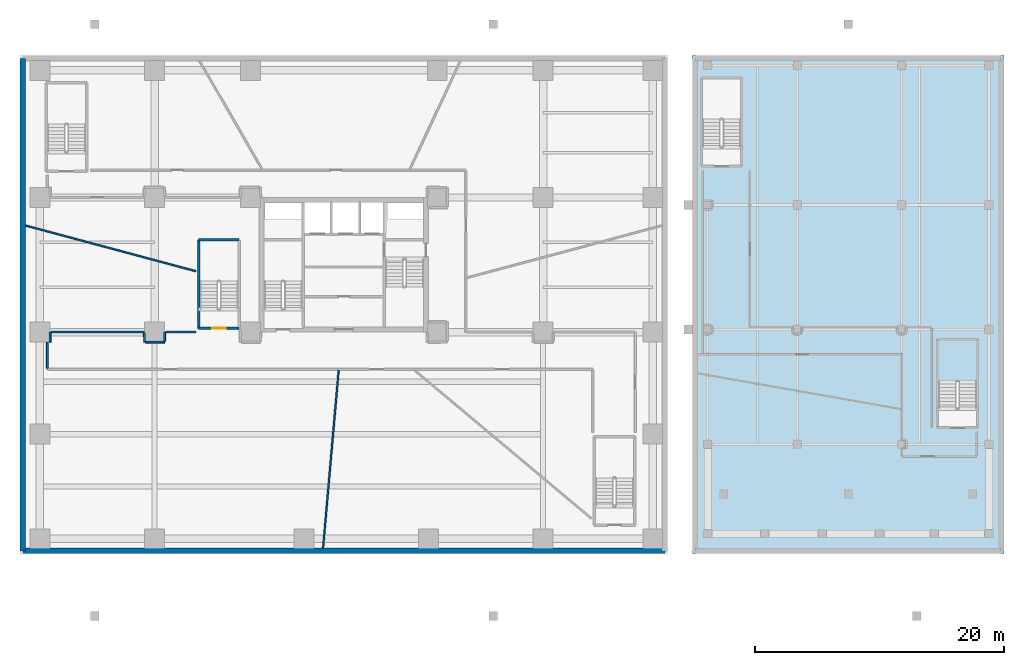
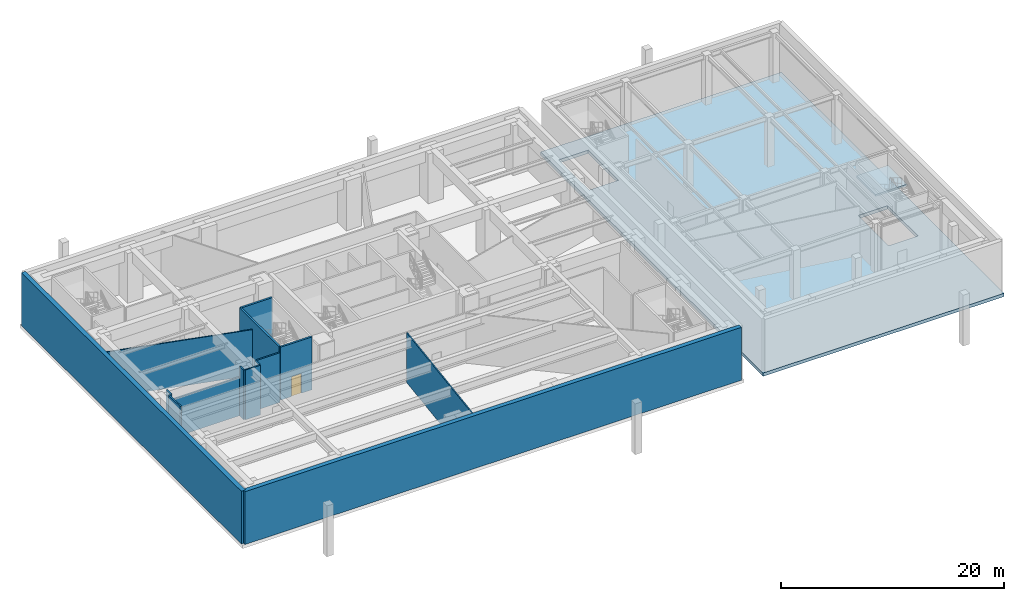
# One storey, part 3 of 12: 14 walls, 2 slabs, 1 door, 1 opening, 1 element without a shape of its own.
"""IFC4 building model written with IfcOpenShell, lengths in metres."""

from ifc_helpers import new_model, si_unit, direction, frame, frame_2d, origin, place, context, subcontext, project, spatial, polyline, rectangle, outline, extrude, source, transform, mapped, material, layer, layer_set, type_object, type_shapes, element, fill, aggregate, save


model = new_model("IFC4")

# Units and contexts
model_context = context("Model", 3, precision=1e-05, world=origin(), true_north=direction((0.0, 1.0)))
body_context = subcontext(model_context, "Body", "Model", "MODEL_VIEW")
ifc_project = project(units=[si_unit("LENGTHUNIT", "METRE"), si_unit("AREAUNIT", "SQUARE_METRE"), si_unit("VOLUMEUNIT", "CUBIC_METRE"), si_unit("PLANEANGLEUNIT", "RADIAN"), si_unit("MASSUNIT", "GRAM", prefix="KILO")], contexts=[model_context])

# Site, building, storey
site_placement = place(None, origin())
site = spatial("IfcSite", under=ifc_project, at=site_placement, CompositionType="ELEMENT")
building_placement = place(site_placement, origin())
building = spatial("IfcBuilding", under=site, at=building_placement, Name="Talar Marvaseh", CompositionType="ELEMENT")
storey_placement = place(building_placement, frame((0.0, 0.0, -5.800048828125)))
storey = spatial("IfcBuildingStorey", under=building, at=storey_placement, Name="B01", CompositionType="ELEMENT", Elevation=-5.800048828125)

# Stair, slab
ifc_material_1 = material(Name="Concrete C40/50", Category="concrete")
stair_type = type_object("IfcStairType", Name="Reinforced Concrete Half-Turn Exit Stair Type A", PredefinedType="HALF_TURN_STAIR", material=ifc_material_1)
stair_placement = place(storey_placement, origin())
stair = element("IfcStair", 1, at=stair_placement, inside=storey, type_object=stair_type, Name="B01 Market Hall South-East Exit Stair", PredefinedType="HALF_TURN_STAIR")
ifc_layer_1 = layer(ifc_material_1, 0.199951171875)
ifc_layer_set_1 = layer_set([ifc_layer_1], Name="Concrete C40/50")
slab_type_1 = type_object("IfcSlabType", Name="Reinforced Concrete Stair Half-Landing Slab 200", PredefinedType="LANDING", material=ifc_layer_set_1)
slab_1_placement = place(storey_placement, frame((0.0, 0.0, 4.150146484375)))
slab_1 = element("IfcSlab", 2, at=slab_1_placement, type_object=slab_type_1, Name="MH-ST2 landing 3", PredefinedType="LANDING", context=body_context, shape_type="SweptSolid", body=[
    extrude(outline(polyline([(76.919921875, 21.77001953125), (76.919921875, 25.219970703125), (73.6201171875, 25.219970703125), (73.6201171875, 21.77001953125), (76.919921875, 21.77001953125)])), origin(), (0.0, 0.0, 1.0), 0.199951171875),
])
aggregate(stair, [slab_1])

# Slab
ifc_material_2 = material(Name="Concrete C50/60", Category="concrete")
ifc_layer_2 = layer(ifc_material_2, 0.360107421875)
ifc_layer_set_2 = layer_set([ifc_layer_2], Name="Concrete C50/60")
slab_type_2 = type_object("IfcSlabType", Name="Structural Suspended Floor Slab 360", PredefinedType="FLOOR", material=ifc_layer_set_2)
slab_2_placement = place(storey_placement, frame((0.0, 0.0, -0.35986328125)))
element("IfcSlab", 3, at=slab_2_placement, inside=storey, type_object=slab_type_2, Name="B01 Market Hall Substructure Slab", PredefinedType="FLOOR", context=body_context, shape_type="SweptSolid", body=[
    extrude(outline(polyline([(54.0, 8.0), (79.0, 8.0), (79.0, 48.0), (54.0, 48.0), (54.0, 8.0)]), holes=[polyline([(57.860107421875, 40.64990234375), (57.860107421875, 46.10009765625), (54.800048828125, 46.10009765625), (54.800048828125, 40.64990234375), (57.860107421875, 40.64990234375)]), polyline([(76.800048828125, 19.64990234375), (76.800048828125, 25.10009765625), (73.739990234375, 25.10009765625), (73.739990234375, 19.64990234375), (76.800048828125, 19.64990234375)])]), origin(), (0.0, 0.0, 1.0), 0.35986328125),
])

# Walls
ifc_layer_3 = layer(ifc_material_2, 0.449951171875)
ifc_layer_set_3 = layer_set([ifc_layer_3], Name="Concrete C50/60")
wall_type_1 = type_object("IfcWallType", Name="Basement Perimeter Waterproof Retaining Wall 450", PredefinedType="SHEAR", material=ifc_layer_set_3)
wall_1_placement = place(storey_placement, frame((51.77490234375, 8.22509765625, 0.0), z_axis=(0.0, 0.0, 1.0), x_axis=(-1.0, 0.0, 0.0)))
element("IfcWall", 4, at=wall_1_placement, inside=storey, type_object=wall_type_1, Name="B01 Basement Retaining Wall", PredefinedType="SHEAR", context=body_context, shape_type="SweptSolid", body=[
    extrude(rectangle(XDim=51.5498046875, YDim=0.449951171875, at=frame_2d((25.77490234375, 0.0))), origin(), (0.0, 0.0, 1.0), 5.800048828125),
])
wall_2_placement = place(storey_placement, frame((0.22509765625, 8.22509765625, 0.0), z_axis=(0.0, 0.0, 1.0), x_axis=(0.0, 1.0, 0.0)))
element("IfcWall", 5, at=wall_2_placement, inside=storey, type_object=wall_type_1, Name="B01 Basement Retaining Wall", PredefinedType="SHEAR", context=body_context, shape_type="SweptSolid", body=[
    extrude(rectangle(XDim=39.5498046875, YDim=0.449951171875, at=frame_2d((19.77490234375, 0.0))), origin(), (0.0, 0.0, 1.0), 5.800048828125),
])
ifc_material_3 = material(Name="Gypsum Board Partition Assembly")
ifc_layer_4 = layer(ifc_material_3, 0.155029296875)
ifc_layer_set_4 = layer_set([ifc_layer_4], Name="Gypsum Board Partition Assembly")
wall_type_2 = type_object("IfcWallType", Name="Corridor Fire-Rated Acoustic Partition 155", PredefinedType="PARTITIONING", material=ifc_layer_set_4)
wall_3_placement = place(storey_placement, frame((2.199951171875, 22.883544921875, 0.0), z_axis=(0.0, 0.0, 1.0), x_axis=(0.0, 1.0, 0.0)))
element("IfcWall", 6, at=wall_3_placement, inside=storey, type_object=wall_type_2, Name="B01 Interior Partition Wall", PredefinedType="PARTITIONING", context=body_context, shape_type="SweptSolid", body=[
    extrude(rectangle(XDim=2.1015625, YDim=0.155029296875, at=frame_2d((1.05078125, 0.0))), origin(), (0.0, 0.0, 1.0), 5.449951171875),
])
wall_4_placement = place(storey_placement, frame((2.414306640625, 24.99560546875, 0.0), z_axis=(0.0, 0.0, 1.0), x_axis=(0.000910470032, 0.999999585522, 0.0)))
element("IfcWall", 7, at=wall_4_placement, inside=storey, type_object=wall_type_2, Name="B01 Interior Partition Wall", PredefinedType="PARTITIONING", context=body_context, shape_type="SweptSolid", body=[
    extrude(rectangle(XDim=0.804443359375, YDim=0.155029296875, at=frame_2d((0.40234375, 0.0))), origin(), (0.0, 0.0, 1.0), 5.449951171875),
])
wall_5_placement = place(storey_placement, frame((2.49853515625, 25.800048828125, 0.0), z_axis=(0.0, 0.0, 1.0), x_axis=(1.0, 0.0, 0.0)))
element("IfcWall", 8, at=wall_5_placement, inside=storey, type_object=wall_type_2, Name="B01 Interior Partition Wall", PredefinedType="PARTITIONING", context=body_context, shape_type="SweptSolid", body=[
    extrude(rectangle(XDim=7.486572265625, YDim=0.155029296875, at=frame_2d((3.7431640625, 0.0))), origin(), (0.0, 0.0, 1.0), 4.22509765625),
])
wall_6_placement = place(storey_placement, frame((9.986572265625, 25.716552734375, 0.0), z_axis=(0.0, 0.0, 1.0), x_axis=(0.01835471782, -0.999831537977, 0.0)))
element("IfcWall", 9, at=wall_6_placement, inside=storey, type_object=wall_type_2, Name="B01 Interior Partition Wall", PredefinedType="PARTITIONING", context=body_context, shape_type="SweptSolid", body=[
    extrude(rectangle(XDim=0.731689453125, YDim=0.155029296875, at=frame_2d((0.36572265625, 0.0))), origin(), (0.0, 0.0, 1.0), 5.449951171875),
])
wall_7_placement = place(storey_placement, frame((10.08349609375, 24.985107421875, 0.0), z_axis=(0.0, 0.0, 1.0), x_axis=(0.99999937099, 0.00112161442, 0.0)))
element("IfcWall", 10, at=wall_7_placement, inside=storey, type_object=wall_type_2, Name="B01 Interior Partition Wall", PredefinedType="PARTITIONING", context=body_context, shape_type="SweptSolid", body=[
    extrude(rectangle(XDim=1.523681640625, YDim=0.155029296875, at=frame_2d((0.76171875, 0.0))), origin(), (0.0, 0.0, 1.0), 5.449951171875),
])
wall_8_placement = place(storey_placement, frame((11.60791015625, 25.0703125, 0.0), z_axis=(0.0, 0.0, 1.0), x_axis=(0.009701784932, 0.999952936577, 0.0)))
element("IfcWall", 11, at=wall_8_placement, inside=storey, type_object=wall_type_2, Name="B01 Interior Partition Wall", PredefinedType="PARTITIONING", context=body_context, shape_type="SweptSolid", body=[
    extrude(rectangle(XDim=0.729736328125, YDim=0.155029296875, at=frame_2d((0.36474609375, 0.0))), origin(), (0.0, 0.0, 1.0), 5.449951171875),
])
wall_9_placement = place(storey_placement, frame((11.698486328125, 25.800048828125, 0.0), z_axis=(0.0, 0.0, 1.0), x_axis=(1.0, 0.0, 0.0)))
element("IfcWall", 12, at=wall_9_placement, inside=storey, type_object=wall_type_2, Name="B01 Interior Partition Wall", PredefinedType="PARTITIONING", context=body_context, shape_type="SweptSolid", body=[
    extrude(rectangle(XDim=2.421630859375, YDim=0.155029296875, at=frame_2d((1.2109375, 0.0))), origin(), (0.0, 0.0, 1.0), 5.449951171875),
])
ifc_layer_5 = layer(ifc_material_3, 0.1201171875)
ifc_layer_set_5 = layer_set([ifc_layer_5], Name="Gypsum Board Partition Assembly")
wall_type_3 = type_object("IfcWallType", Name="Demountable Studio Room Partition 120", PredefinedType="PARTITIONING", material=ifc_layer_set_5)
wall_10_placement = place(storey_placement, frame((25.584228515625, 22.735107421875, 0.0), z_axis=(0.0, 0.0, 1.0), x_axis=(-0.087457552049, -0.99616824713, 0.0)))
element("IfcWall", 13, at=wall_10_placement, inside=storey, type_object=wall_type_3, Name="B01 Interior Partition Wall", PredefinedType="PARTITIONING", context=body_context, shape_type="SweptSolid", body=[
    extrude(rectangle(XDim=14.340087890625, YDim=0.1201171875, at=frame_2d((7.169921875, 0.0))), origin(), (0.0, 0.0, 1.0), 5.449951171875),
])
wall_11_placement = place(storey_placement, frame((0.449951171875, 34.35009765625, 0.0), z_axis=(0.0, 0.0, 1.0), x_axis=(0.965797547466, -0.259297314505, 0.0)))
element("IfcWall", 14, at=wall_11_placement, inside=storey, type_object=wall_type_3, Name="B01 Interior Partition Wall", PredefinedType="PARTITIONING", context=body_context, shape_type="SweptSolid", body=[
    extrude(rectangle(XDim=14.154296875, YDim=0.1201171875, at=frame_2d((7.0771484375, 0.0))), origin(), (0.0, 0.0, 1.0), 5.011962890625),
])

# Wall, opening, door
ifc_layer_6 = layer(ifc_material_2, 0.199951171875)
ifc_layer_set_6 = layer_set([ifc_layer_6], Name="Concrete C50/60")
wall_type_4 = type_object("IfcWallType", Name="Stair Shaft Structural Concrete Shear Wall 200", PredefinedType="SHEAR", material=ifc_layer_set_6)
wall_12_placement = place(storey_placement, frame((17.60009765625, 26.10009765625, 0.0), z_axis=(0.0, 0.0, 1.0), x_axis=(-1.0, 0.0, 0.0)))
wall_12 = element("IfcWall", 15, at=wall_12_placement, inside=storey, type_object=wall_type_4, Name="B01 Stair ST-3 South Shear Wall", PredefinedType="SHEAR", context=body_context, shape_type="SweptSolid", body=[
    extrude(rectangle(XDim=3.260009765625, YDim=0.199951171875, at=frame_2d((1.6298828125, 0.0))), origin(), (0.0, 0.0, 1.0), 5.800048828125),
])
opening_placement = place(wall_12_placement, frame((1.10009765625, 0.0, 0.0)))
opening = element("IfcOpeningElement", 16, at=opening_placement, cuts=wall_12, Name="Opening DR-ST105", PredefinedType="OPENING", context=body_context, shape_type="SweptSolid", body=[
    extrude(rectangle(XDim=1.050048828125, YDim=2.14990234375, at=frame_2d((0.52490234375, 1.074951171875))), frame((0.0, 0.10986328125, 0.0), z_axis=(0.0, -1.0, 0.0), x_axis=(1.0, 0.0, 0.0)), (0.0, 0.0, 1.0), 0.219970703125),
])
ifc_material_4 = material(Name="Fire-Rated Steel Door Leaf", Category="steel")
door_type = type_object("IfcDoorType", Name="Protected Exit Stair Fire Door 1050x2150", OperationType="NOTDEFINED", PredefinedType="DOOR", material=ifc_material_4)
shared_shape = source(origin(), body_context, "Body", "SweptSolid", [
    extrude(rectangle(XDim=1.050048828125, YDim=2.14990234375, at=frame_2d((0.52490234375, 1.074951171875))), frame((0.0, 0.02490234375, 0.0), z_axis=(0.0, -1.0, 0.0), x_axis=(1.0, 0.0, 0.0)), (0.0, 0.0, 1.0), 0.050048828125),
])
type_shapes(door_type, [shared_shape])
door_placement = place(opening_placement, origin())
door = element("IfcDoor", 17, at=door_placement, inside=storey, type_object=door_type, Name="B01 Stair ST-3 Exit Door", OperationType="SINGLE_SWING_LEFT", OverallHeight=2.14990234375, OverallWidth=1.050048828125, PredefinedType="DOOR", context=body_context, shape_type="MappedRepresentation", body=[
    mapped(shared_shape, transform((0.0, 0.0, 0.0), x_axis=(1.0, 0.0, 0.0), y_axis=(0.0, 1.0, 0.0), z_axis=(0.0, 0.0, 1.0), scale=1.0)),
])
fill(opening, door)

# Walls
wall_13_placement = place(storey_placement, frame((14.340087890625, 33.199951171875, 0.0), z_axis=(0.0, 0.0, 1.0), x_axis=(1.0, 0.0, 0.0)))
element("IfcWall", 18, at=wall_13_placement, inside=storey, type_object=wall_type_4, Name="B01 Stair ST-3 North Shear Wall", PredefinedType="SHEAR", context=body_context, shape_type="SweptSolid", body=[
    extrude(rectangle(XDim=3.260009765625, YDim=0.199951171875, at=frame_2d((1.6298828125, 0.0))), origin(), (0.0, 0.0, 1.0), 5.800048828125),
])
wall_14_placement = place(storey_placement, frame((14.340087890625, 26.10009765625, 0.0), z_axis=(0.0, 0.0, 1.0), x_axis=(0.0, 1.0, 0.0)))
element("IfcWall", 19, at=wall_14_placement, inside=storey, type_object=wall_type_4, Name="B01 Stair ST-3 West Shear Wall", PredefinedType="SHEAR", context=body_context, shape_type="SweptSolid", body=[
    extrude(rectangle(XDim=7.099853515625, YDim=0.199951171875, at=frame_2d((3.5498046875, 0.0))), origin(), (0.0, 0.0, 1.0), 5.800048828125),
])

save(model, "model.ifc")
